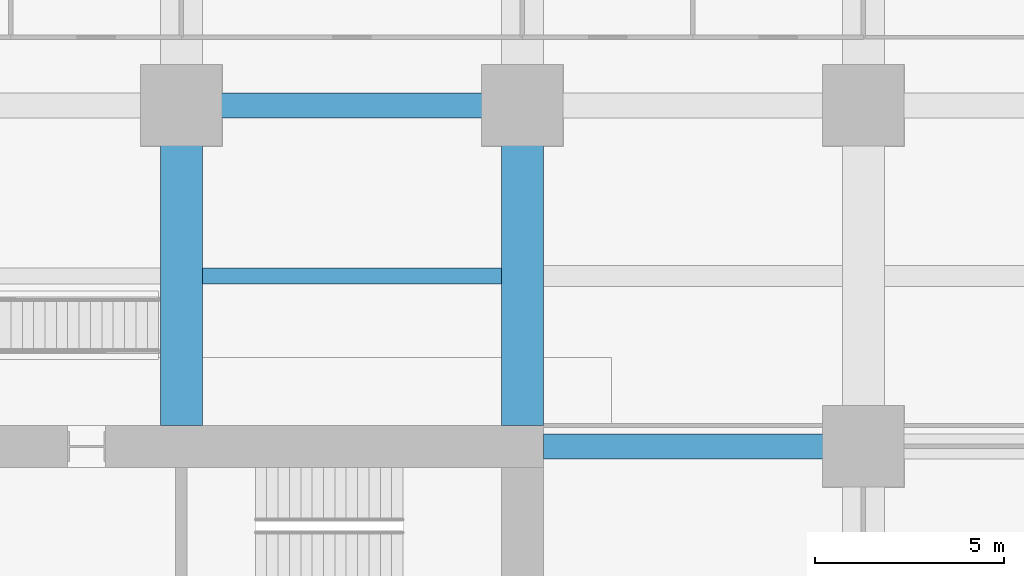
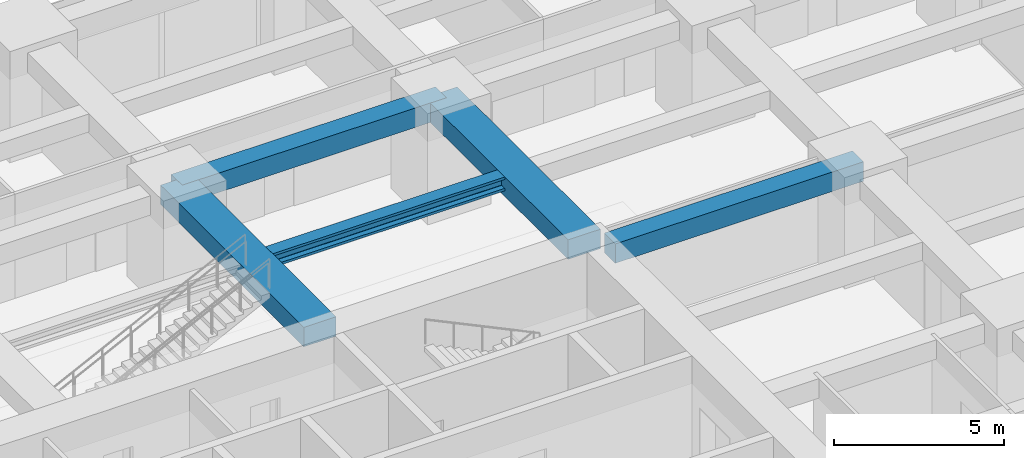
# One storey, part 31 of 44: 5 beams.
"""IFC4 building model written with IfcOpenShell, lengths in metres."""

from ifc_helpers import new_model, si_unit, direction, frame, origin, origin_2d, place, context, subcontext, project, spatial, rectangle, i_section, extrude, material, material_profile, profile_set, type_object, element, save


model = new_model("IFC4")

# Units and contexts
model_context = context("Model", 3, precision=1e-05, world=origin(), true_north=direction((0.0, 1.0)))
body_context = subcontext(model_context, "Body", "Model", "MODEL_VIEW")
ifc_project = project(units=[si_unit("LENGTHUNIT", "METRE"), si_unit("AREAUNIT", "SQUARE_METRE"), si_unit("VOLUMEUNIT", "CUBIC_METRE"), si_unit("PLANEANGLEUNIT", "RADIAN"), si_unit("MASSUNIT", "GRAM", prefix="KILO")], contexts=[model_context])

# Site, building, storey
site_placement = place(None, origin())
site = spatial("IfcSite", under=ifc_project, at=site_placement, CompositionType="ELEMENT")
building_placement = place(site_placement, origin())
building = spatial("IfcBuilding", under=site, at=building_placement, Name="Zorevar Civic Tower", CompositionType="ELEMENT")
storey_placement = place(building_placement, frame((0.0, 0.0, 59.800048828125)))
storey = spatial("IfcBuildingStorey", under=building, at=storey_placement, Name="L14", CompositionType="ELEMENT", Elevation=59.800048828125)

# Beams
ifc_material_1 = material(Name="Concrete C50/60", Category="concrete")
ifc_material_profile_1 = material_profile(ifc_material_1, rectangle(XDim=1.10009765625, YDim=0.699951171875, at=origin_2d()), Name="RC 1100x700")
ifc_profile_set_1 = profile_set([ifc_material_profile_1], Name="Concrete C50/60")
beam_type_1 = type_object("IfcBeamType", Name="Beam RC 1100x700", PredefinedType="BEAM", material=ifc_profile_set_1)
for number, where, z_axis, x_axis, name in (
    (1, (36.0, 36.550048828125, 3.39990234375), (0.0, 1.0, 0.0), (-1.0, 0.0, 0.0), "Girder L15"),
    (2, (45.0, 36.550048828125, 3.39990234375), (0.0, 1.0, 0.0), (-1.0, 0.0, 0.0), "Girder L15"),
):
    element("IfcBeam", number, at=place(storey_placement, frame(where, z_axis=z_axis, x_axis=x_axis)), inside=storey, type_object=beam_type_1, Name=name, PredefinedType="BEAM", context=body_context, shape_type="SweptSolid", body=[
        extrude(rectangle(XDim=1.10009765625, YDim=0.699951171875, at=origin_2d()), origin(), (0.0, 0.0, 1.0), 8.449951171875),
    ])
ifc_material_2 = material(Name="Concrete C50/60", Category="concrete")
ifc_material_profile_2 = material_profile(ifc_material_2, rectangle(XDim=0.64990234375, YDim=0.699951171875, at=origin_2d()), Name="RC 650x700")
ifc_profile_set_2 = profile_set([ifc_material_profile_2], Name="Concrete C50/60")
beam_type_2 = type_object("IfcBeamType", Name="Beam RC 650x700", PredefinedType="BEAM", material=ifc_profile_set_2)
beam_1_placement = place(storey_placement, frame((45.550048828125, 36.0, 3.39990234375), z_axis=(1.0, 0.0, 0.0), x_axis=(0.0, 1.0, 0.0)))
element("IfcBeam", 3, at=beam_1_placement, inside=storey, type_object=beam_type_2, Name="Girder L15", PredefinedType="BEAM", context=body_context, shape_type="SweptSolid", body=[
    extrude(rectangle(XDim=0.64990234375, YDim=0.699951171875, at=origin_2d()), origin(), (0.0, 0.0, 1.0), 8.449951171875),
])
beam_2_placement = place(storey_placement, frame((36.0, 45.0, 3.39990234375), z_axis=(1.0, 0.0, 0.0), x_axis=(0.0, 1.0, 0.0)))
element("IfcBeam", 4, at=beam_2_placement, inside=storey, type_object=beam_type_2, Name="Girder L15", PredefinedType="BEAM", context=body_context, shape_type="SweptSolid", body=[
    extrude(rectangle(XDim=0.64990234375, YDim=0.699951171875, at=origin_2d()), origin(), (0.0, 0.0, 1.0), 9.0),
])
ifc_material_3 = material(Name="Steel S460M (HISTAR 460)", Category="steel")
ifc_material_profile_3 = material_profile(ifc_material_3, i_section(OverallWidth=0.431884765625, OverallDepth=0.498046875, WebThickness=0.0556640625, FlangeThickness=0.0888671875, FilletRadius=0.014892578125, at=origin_2d()), Name="HD 400x744")
ifc_profile_set_3 = profile_set([ifc_material_profile_3], Name="Steel S460M (HISTAR 460)")
beam_type_3 = type_object("IfcBeamType", Name="Core bay beam HD 400x744", PredefinedType="BEAM", material=ifc_profile_set_3)
beam_3_placement = place(storey_placement, frame((36.550048828125, 40.5, 3.5009765625), z_axis=(1.0, 0.0, 0.0), x_axis=(0.0, 1.0, 0.0)))
element("IfcBeam", 5, at=beam_3_placement, inside=storey, type_object=beam_type_3, Name="Secondary beam L15", PredefinedType="BEAM", context=body_context, shape_type="SweptSolid", body=[
    extrude(i_section(OverallWidth=0.431884765625, OverallDepth=0.498046875, WebThickness=0.0556640625, FlangeThickness=0.0888671875, FilletRadius=0.014892578125, at=origin_2d()), origin(), (0.0, 0.0, 1.0), 7.89990234375),
])

save(model, "model.ifc")
